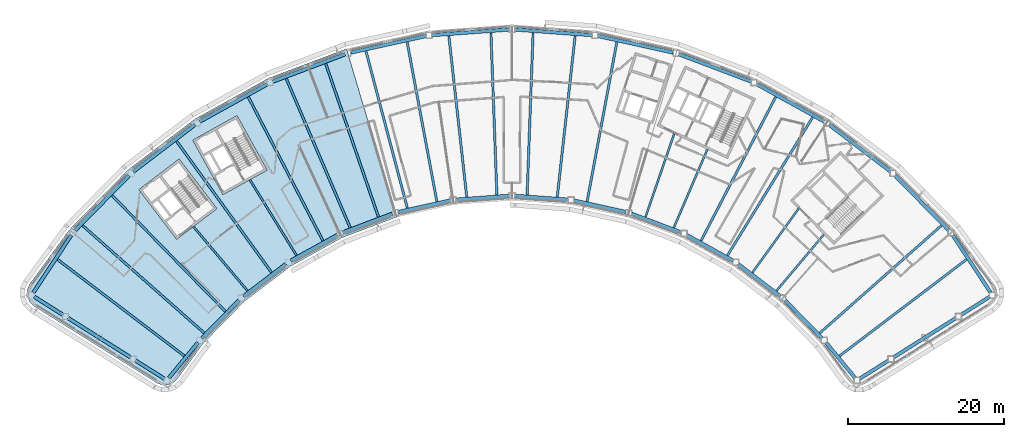
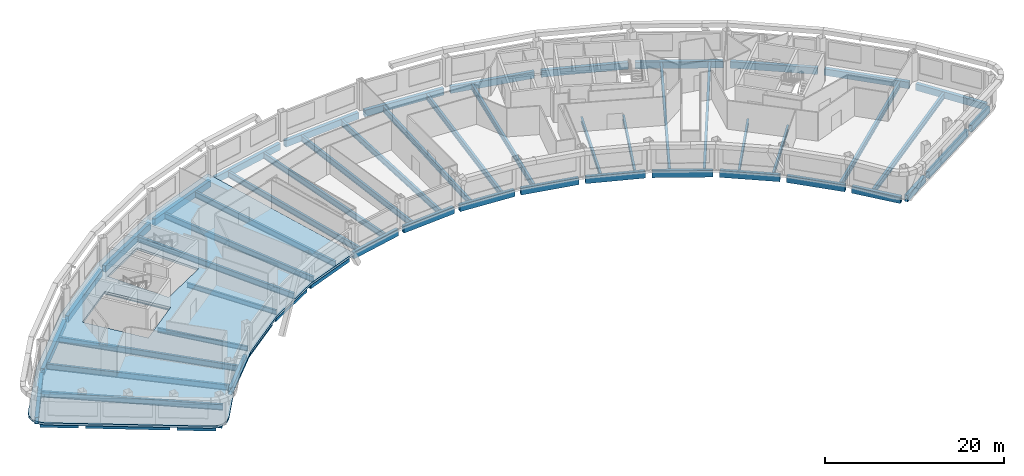
# One storey, part 3 of 16: 58 beams, 1 slab.
"""IFC4 building model written with IfcOpenShell, lengths in metres."""

from ifc_helpers import new_model, si_unit, direction, frame, origin, origin_2d, place, context, subcontext, project, spatial, polyline, hollow_rectangle, i_section, outline, extrude, material, layer, layer_set, material_profile, profile_set, type_object, element, save


model = new_model("IFC4")

# Units and contexts
model_context = context("Model", 3, precision=1e-05, world=origin(), true_north=direction((0.0, 1.0)))
body_context = subcontext(model_context, "Body", "Model", "MODEL_VIEW")
ifc_project = project(units=[si_unit("LENGTHUNIT", "METRE"), si_unit("AREAUNIT", "SQUARE_METRE"), si_unit("VOLUMEUNIT", "CUBIC_METRE"), si_unit("PLANEANGLEUNIT", "RADIAN"), si_unit("MASSUNIT", "GRAM", prefix="KILO")], contexts=[model_context])

# Site, building, storey
site_placement = place(None, origin())
site = spatial("IfcSite", under=ifc_project, at=site_placement, CompositionType="ELEMENT")
building_placement = place(site_placement, origin())
building = spatial("IfcBuilding", under=site, at=building_placement, Name="Tuul Gate Civic Tower", CompositionType="ELEMENT")
storey_placement = place(building_placement, frame((0.0, 0.0, 298.39990234375)))
storey = spatial("IfcBuildingStorey", under=building, at=storey_placement, Name="Level 67", CompositionType="ELEMENT", Elevation=298.39990234375)

# Beams
ifc_material_1 = material(Name="Steel S355", Category="steel")
ifc_material_profile_1 = material_profile(ifc_material_1, i_section(OverallWidth=0.25, OverallDepth=0.64990234375, WebThickness=0.011962890625, FlangeThickness=0.02001953125, at=origin_2d()), Name="PG650x250x12x20")
ifc_profile_set_1 = profile_set([ifc_material_profile_1], Name="Steel S355")
beam_type_1 = type_object("IfcBeamType", Name="STR-FLOOR BEAM-PG650x250x12x20", PredefinedType="BEAM", material=ifc_profile_set_1)
beam_1_placement = place(storey_placement, frame((40.746337890625, -24.341064453125, -0.625), z_axis=(0.644127784209, 0.764917902529, 0.0), x_axis=(-0.764917902529, 0.644127784209, 0.0)))
element("IfcBeam", 1, at=beam_1_placement, inside=storey, type_object=beam_type_1, Name="Floor beam", PredefinedType="BEAM", context=body_context, shape_type="SweptSolid", body=[
    extrude(i_section(OverallWidth=0.25, OverallDepth=0.64990234375, WebThickness=0.011962890625, FlangeThickness=0.02001953125, at=origin_2d()), origin(), (0.0, 0.0, 1.0), 9.443115234375),
])
beam_2_placement = place(storey_placement, frame((37.658203125, -21.989501953125, -0.625), z_axis=(0.586069159859, 0.810261031929, 0.0), x_axis=(-0.810261031929, 0.586069159859, 0.0)))
element("IfcBeam", 2, at=beam_2_placement, inside=storey, type_object=beam_type_1, Name="Floor beam", PredefinedType="BEAM", context=body_context, shape_type="SweptSolid", body=[
    extrude(i_section(OverallWidth=0.25, OverallDepth=0.64990234375, WebThickness=0.011962890625, FlangeThickness=0.02001953125, at=origin_2d()), origin(), (0.0, 0.0, 1.0), 10.103515625),
])
beam_3_placement = place(storey_placement, frame((27.564697265625, -16.229248046875, -0.625), z_axis=(0.394202182467, 0.919023742532, 0.0), x_axis=(-0.919023742532, 0.394202182467, 0.0)))
element("IfcBeam", 3, at=beam_3_placement, inside=storey, type_object=beam_type_1, Name="Floor beam", PredefinedType="BEAM", context=body_context, shape_type="SweptSolid", body=[
    extrude(i_section(OverallWidth=0.25, OverallDepth=0.64990234375, WebThickness=0.011962890625, FlangeThickness=0.02001953125, at=origin_2d()), origin(), (0.0, 0.0, 1.0), 10.93603515625),
])
beam_4_placement = place(storey_placement, frame((23.934326171875, -14.856689453125, -0.625), z_axis=(0.325475834629, 0.945550358824, 0.0), x_axis=(-0.945550358824, 0.325475834629, 0.0)))
element("IfcBeam", 4, at=beam_4_placement, inside=storey, type_object=beam_type_1, Name="Floor beam", PredefinedType="BEAM", context=body_context, shape_type="SweptSolid", body=[
    extrude(i_section(OverallWidth=0.25, OverallDepth=0.64990234375, WebThickness=0.011962890625, FlangeThickness=0.02001953125, at=origin_2d()), origin(), (0.0, 0.0, 1.0), 11.282958984375),
])
beam_5_placement = place(storey_placement, frame((-20.8779296875, -19.798828125, -0.625), z_axis=(-0.524859776805, 0.851188706864, 0.0), x_axis=(-0.851188706864, -0.524859776805, 0.0)))
element("IfcBeam", 5, at=beam_5_placement, inside=storey, type_object=beam_type_1, Name="Floor beam", PredefinedType="BEAM", context=body_context, shape_type="SweptSolid", body=[
    extrude(i_section(OverallWidth=0.25, OverallDepth=0.64990234375, WebThickness=0.011962890625, FlangeThickness=0.02001953125, at=origin_2d()), origin(), (0.0, 0.0, 1.0), 11.414306640625),
])
beam_6_placement = place(storey_placement, frame((-27.170166015625, -24.341064453125, -0.625), z_axis=(-0.644139926709, 0.764907677318, 0.0), x_axis=(-0.764907677318, -0.644139926709, 0.0)))
element("IfcBeam", 6, at=beam_6_placement, inside=storey, type_object=beam_type_1, Name="Floor beam", PredefinedType="BEAM", context=body_context, shape_type="SweptSolid", body=[
    extrude(i_section(OverallWidth=0.25, OverallDepth=0.64990234375, WebThickness=0.011962890625, FlangeThickness=0.02001953125, at=origin_2d()), origin(), (0.0, 0.0, 1.0), 10.7890625),
])
ifc_material_2 = material(Name="Steel S355", Category="steel")
ifc_material_profile_2 = material_profile(ifc_material_2, i_section(OverallWidth=0.300048828125, OverallDepth=0.800048828125, WebThickness=0.013916015625, FlangeThickness=0.02490234375, at=origin_2d()), Name="PG800x300x14x25")
ifc_profile_set_2 = profile_set([ifc_material_profile_2], Name="Steel S355")
beam_type_2 = type_object("IfcBeamType", Name="STR-FLOOR BEAM-PG800x300x14x25", PredefinedType="BEAM", material=ifc_profile_set_2)
beam_7_placement = place(storey_placement, frame((48.8427734375, -32.703857421875, -0.699951171875), z_axis=(0.796156676215, 0.60509052787, 0.0), x_axis=(-0.60509052787, 0.796156676215, 0.0)))
element("IfcBeam", 7, at=beam_7_placement, inside=storey, type_object=beam_type_2, Name="Floor beam", PredefinedType="BEAM", context=body_context, shape_type="SweptSolid", body=[
    extrude(i_section(OverallWidth=0.300048828125, OverallDepth=0.800048828125, WebThickness=0.013916015625, FlangeThickness=0.02490234375, at=origin_2d()), origin(), (0.0, 0.0, 1.0), 20.46240234375),
])
beam_8_placement = place(storey_placement, frame((46.3037109375, -29.759033203125, -0.699951171875), z_axis=(0.749453243269, 0.662057275584, 0.0), x_axis=(-0.662057275584, 0.749453243269, 0.0)))
element("IfcBeam", 8, at=beam_8_placement, inside=storey, type_object=beam_type_2, Name="Floor beam", PredefinedType="BEAM", context=body_context, shape_type="SweptSolid", body=[
    extrude(i_section(OverallWidth=0.300048828125, OverallDepth=0.800048828125, WebThickness=0.013916015625, FlangeThickness=0.02490234375, at=origin_2d()), origin(), (0.0, 0.0, 1.0), 20.828369140625),
])
beam_9_placement = place(storey_placement, frame((34.45458984375, -19.79833984375, -0.699951171875), z_axis=(0.524850193008, 0.851194616348, 0.0), x_axis=(-0.851194616348, 0.524850193008, 0.0)))
element("IfcBeam", 9, at=beam_9_placement, inside=storey, type_object=beam_type_2, Name="Floor beam", PredefinedType="BEAM", context=body_context, shape_type="SweptSolid", body=[
    extrude(i_section(OverallWidth=0.300048828125, OverallDepth=0.800048828125, WebThickness=0.013916015625, FlangeThickness=0.02490234375, at=origin_2d()), origin(), (0.0, 0.0, 1.0), 20.822021484375),
])
beam_10_placement = place(storey_placement, frame((31.0595703125, -17.9169921875, -0.699951171875), z_axis=(0.460777059353, 0.887515916237, 0.0), x_axis=(-0.887515916237, 0.460777059353, 0.0)))
element("IfcBeam", 10, at=beam_10_placement, inside=storey, type_object=beam_type_2, Name="Floor beam", PredefinedType="BEAM", context=body_context, shape_type="SweptSolid", body=[
    extrude(i_section(OverallWidth=0.300048828125, OverallDepth=0.800048828125, WebThickness=0.013916015625, FlangeThickness=0.02490234375, at=origin_2d()), origin(), (0.0, 0.0, 1.0), 20.8076171875),
])
beam_11_placement = place(storey_placement, frame((16.4365234375, -12.874755859375, -0.699951171875), z_axis=(0.183145230157, 0.983085868412, 0.0), x_axis=(-0.983085868412, 0.183145230157, 0.0)))
element("IfcBeam", 11, at=beam_11_placement, inside=storey, type_object=beam_type_2, Name="Floor beam", PredefinedType="BEAM", context=body_context, shape_type="SweptSolid", body=[
    extrude(i_section(OverallWidth=0.300048828125, OverallDepth=0.800048828125, WebThickness=0.013916015625, FlangeThickness=0.02490234375, at=origin_2d()), origin(), (0.0, 0.0, 1.0), 20.8115234375),
])
beam_12_placement = place(storey_placement, frame((12.599365234375, -12.294677734375, -0.699951171875), z_axis=(0.110286058964, 0.993899886909, 0.0), x_axis=(-0.993899886909, 0.110286058964, 0.0)))
element("IfcBeam", 12, at=beam_12_placement, inside=storey, type_object=beam_type_2, Name="Floor beam", PredefinedType="BEAM", context=body_context, shape_type="SweptSolid", body=[
    extrude(i_section(OverallWidth=0.300048828125, OverallDepth=0.800048828125, WebThickness=0.013916015625, FlangeThickness=0.02490234375, at=origin_2d()), origin(), (0.0, 0.0, 1.0), 20.8154296875),
])
beam_13_placement = place(storey_placement, frame((8.728515625, -12.01416015625, -0.699951171875), z_axis=(0.036832047042, 0.999321469954, 0.0), x_axis=(-0.999321469954, 0.036832047042, 0.0)))
element("IfcBeam", 13, at=beam_13_placement, inside=storey, type_object=beam_type_2, Name="Floor beam", PredefinedType="BEAM", context=body_context, shape_type="SweptSolid", body=[
    extrude(i_section(OverallWidth=0.300048828125, OverallDepth=0.800048828125, WebThickness=0.013916015625, FlangeThickness=0.02490234375, at=origin_2d()), origin(), (0.0, 0.0, 1.0), 20.8134765625),
])
beam_14_placement = place(storey_placement, frame((4.84765625, -12.013916015625, -0.699951171875), z_axis=(-0.036820764609, 0.999321885727, 0.0), x_axis=(-0.999321885727, -0.036820764609, 0.0)))
element("IfcBeam", 14, at=beam_14_placement, inside=storey, type_object=beam_type_2, Name="Floor beam", PredefinedType="BEAM", context=body_context, shape_type="SweptSolid", body=[
    extrude(i_section(OverallWidth=0.300048828125, OverallDepth=0.800048828125, WebThickness=0.013916015625, FlangeThickness=0.02490234375, at=origin_2d()), origin(), (0.0, 0.0, 1.0), 20.813232421875),
])
beam_15_placement = place(storey_placement, frame((0.976806640625, -12.294677734375, -0.699951171875), z_axis=(-0.110287344613, 0.993899744249, 0.0), x_axis=(-0.993899744249, -0.110287344613, 0.0)))
element("IfcBeam", 15, at=beam_15_placement, inside=storey, type_object=beam_type_2, Name="Floor beam", PredefinedType="BEAM", context=body_context, shape_type="SweptSolid", body=[
    extrude(i_section(OverallWidth=0.300048828125, OverallDepth=0.800048828125, WebThickness=0.013916015625, FlangeThickness=0.02490234375, at=origin_2d()), origin(), (0.0, 0.0, 1.0), 20.815185546875),
])
beam_16_placement = place(storey_placement, frame((-2.8603515625, -12.87451171875, -0.699951171875), z_axis=(-0.183149454547, 0.983085081414, 0.0), x_axis=(-0.983085081414, -0.183149454547, 0.0)))
element("IfcBeam", 16, at=beam_16_placement, inside=storey, type_object=beam_type_2, Name="Floor beam", PredefinedType="BEAM", context=body_context, shape_type="SweptSolid", body=[
    extrude(i_section(OverallWidth=0.300048828125, OverallDepth=0.800048828125, WebThickness=0.013916015625, FlangeThickness=0.02490234375, at=origin_2d()), origin(), (0.0, 0.0, 1.0), 20.81103515625),
])
beam_17_placement = place(storey_placement, frame((-6.650390625, -13.7099609375, -0.699951171875), z_axis=(-0.255007612054, 0.966939045542, 0.0), x_axis=(-0.966939045542, -0.255007612054, 0.0)))
element("IfcBeam", 17, at=beam_17_placement, inside=storey, type_object=beam_type_2, Name="Floor beam", PredefinedType="BEAM", context=body_context, shape_type="SweptSolid", body=[
    extrude(i_section(OverallWidth=0.300048828125, OverallDepth=0.800048828125, WebThickness=0.013916015625, FlangeThickness=0.02490234375, at=origin_2d()), origin(), (0.0, 0.0, 1.0), 20.8173828125),
])
beam_18_placement = place(storey_placement, frame((-10.358154296875, -14.856689453125, -0.699951171875), z_axis=(-0.325486974479, 0.945546524209, 0.0), x_axis=(-0.945546524209, -0.325486974479, 0.0)))
element("IfcBeam", 18, at=beam_18_placement, inside=storey, type_object=beam_type_2, Name="Floor beam", PredefinedType="BEAM", context=body_context, shape_type="SweptSolid", body=[
    extrude(i_section(OverallWidth=0.300048828125, OverallDepth=0.800048828125, WebThickness=0.013916015625, FlangeThickness=0.02490234375, at=origin_2d()), origin(), (0.0, 0.0, 1.0), 20.809326171875),
])
beam_19_placement = place(storey_placement, frame((-13.98828125, -16.2294921875, -0.699951171875), z_axis=(-0.39420232802, 0.9190236801, 0.0), x_axis=(-0.9190236801, -0.39420232802, 0.0)))
element("IfcBeam", 19, at=beam_19_placement, inside=storey, type_object=beam_type_2, Name="Floor beam", PredefinedType="BEAM", context=body_context, shape_type="SweptSolid", body=[
    extrude(i_section(OverallWidth=0.300048828125, OverallDepth=0.800048828125, WebThickness=0.013916015625, FlangeThickness=0.02490234375, at=origin_2d()), origin(), (0.0, 0.0, 1.0), 20.820068359375),
])
beam_20_placement = place(storey_placement, frame((-17.483154296875, -17.917236328125, -0.699951171875), z_axis=(-0.460781503105, 0.887513609133, 0.0), x_axis=(-0.887513609133, -0.460781503105, 0.0)))
element("IfcBeam", 20, at=beam_20_placement, inside=storey, type_object=beam_type_2, Name="Floor beam", PredefinedType="BEAM", context=body_context, shape_type="SweptSolid", body=[
    extrude(i_section(OverallWidth=0.300048828125, OverallDepth=0.800048828125, WebThickness=0.013916015625, FlangeThickness=0.02490234375, at=origin_2d()), origin(), (0.0, 0.0, 1.0), 20.807861328125),
])
beam_21_placement = place(storey_placement, frame((-24.081787109375, -21.98974609375, -0.699951171875), z_axis=(-0.586080778494, 0.810252627938, 0.0), x_axis=(-0.810252627938, -0.586080778494, 0.0)))
element("IfcBeam", 21, at=beam_21_placement, inside=storey, type_object=beam_type_2, Name="Floor beam", PredefinedType="BEAM", context=body_context, shape_type="SweptSolid", body=[
    extrude(i_section(OverallWidth=0.300048828125, OverallDepth=0.800048828125, WebThickness=0.013916015625, FlangeThickness=0.02490234375, at=origin_2d()), origin(), (0.0, 0.0, 1.0), 20.8056640625),
])
beam_22_placement = place(storey_placement, frame((-30.010498046875, -26.986572265625, -0.699951171875), z_axis=(-0.698690220921, 0.71542433226, 0.0), x_axis=(-0.71542433226, -0.698690220921, 0.0)))
element("IfcBeam", 22, at=beam_22_placement, inside=storey, type_object=beam_type_2, Name="Floor beam", PredefinedType="BEAM", context=body_context, shape_type="SweptSolid", body=[
    extrude(i_section(OverallWidth=0.300048828125, OverallDepth=0.800048828125, WebThickness=0.013916015625, FlangeThickness=0.02490234375, at=origin_2d()), origin(), (0.0, 0.0, 1.0), 20.804443359375),
])
beam_23_placement = place(storey_placement, frame((-32.7275390625, -29.759033203125, -0.699951171875), z_axis=(-0.749453243269, 0.662057275584, 0.0), x_axis=(-0.662057275584, -0.749453243269, 0.0)))
element("IfcBeam", 23, at=beam_23_placement, inside=storey, type_object=beam_type_2, Name="Floor beam", PredefinedType="BEAM", context=body_context, shape_type="SweptSolid", body=[
    extrude(i_section(OverallWidth=0.300048828125, OverallDepth=0.800048828125, WebThickness=0.013916015625, FlangeThickness=0.02490234375, at=origin_2d()), origin(), (0.0, 0.0, 1.0), 20.828369140625),
])
beam_24_placement = place(storey_placement, frame((-35.266845703125, -32.703857421875, -0.699951171875), z_axis=(-0.796146559843, 0.605103838403, 0.0), x_axis=(-0.605103838403, -0.796146559843, 0.0)))
element("IfcBeam", 24, at=beam_24_placement, inside=storey, type_object=beam_type_2, Name="Floor beam", PredefinedType="BEAM", context=body_context, shape_type="SweptSolid", body=[
    extrude(i_section(OverallWidth=0.300048828125, OverallDepth=0.800048828125, WebThickness=0.013916015625, FlangeThickness=0.02490234375, at=origin_2d()), origin(), (0.0, 0.0, 1.0), 20.46240234375),
])
ifc_material_3 = material(Name="Steel S355", Category="steel")
ifc_material_profile_3 = material_profile(ifc_material_3, hollow_rectangle(XDim=0.449951171875, YDim=0.89990234375, WallThickness=0.02490234375, at=origin_2d()), Name="BOX900x450x25")
ifc_profile_set_3 = profile_set([ifc_material_profile_3], Name="Steel S355")
beam_type_3 = type_object("IfcBeamType", Name="STR-SPANDREL BEAM-BOX900x450x25", PredefinedType="BEAM", material=ifc_profile_set_3)
beam_25_placement = place(storey_placement, frame((68.23828125, -24.5634765625, -0.75), z_axis=(-0.551580803008, 0.834121464628, 0.0), x_axis=(-0.834121464628, -0.551580803008, 0.0)))
element("IfcBeam", 25, at=beam_25_placement, inside=storey, type_object=beam_type_3, Name="Spandrel beam", PredefinedType="BEAM", context=body_context, shape_type="SweptSolid", body=[
    extrude(hollow_rectangle(XDim=0.449951171875, YDim=0.89990234375, WallThickness=0.02490234375, at=origin_2d()), origin(), (0.0, 0.0, 1.0), 8.806884765625),
])
for number, where, z_axis, x_axis, name in (
    (26, (62.8798828125, -16.598388671875, -0.75), (-0.699989605726, 0.714153031132, 0.0), (-0.714153031132, -0.699989605726, 0.0), "Spandrel beam"),
    (27, (55.36767578125, -9.0166015625, -0.75), (-0.795624601098, 0.605789975261, 0.0), (-0.605789975261, -0.795624601098, 0.0), "Spandrel beam"),
):
    element("IfcBeam", number, at=place(storey_placement, frame(where, z_axis=z_axis, x_axis=x_axis)), inside=storey, type_object=beam_type_3, Name=name, PredefinedType="BEAM", context=body_context, shape_type="SweptSolid", body=[
        extrude(hollow_rectangle(XDim=0.449951171875, YDim=0.89990234375, WallThickness=0.02490234375, at=origin_2d()), origin(), (0.0, 0.0, 1.0), 9.876953125),
    ])
beam_26_placement = place(storey_placement, frame((46.841064453125, -2.59716796875, -0.75), z_axis=(-0.874638363012, 0.484775962634, 0.0), x_axis=(-0.484775962634, -0.874638363012, 0.0)))
element("IfcBeam", 28, at=beam_26_placement, inside=storey, type_object=beam_type_3, Name="Spandrel beam", PredefinedType="BEAM", context=body_context, shape_type="SweptSolid", body=[
    extrude(hollow_rectangle(XDim=0.449951171875, YDim=0.89990234375, WallThickness=0.02490234375, at=origin_2d()), origin(), (0.0, 0.0, 1.0), 9.87744140625),
])
for number, where, z_axis, x_axis, name in (
    (29, (37.477783203125, 2.526611328125, -0.75), (-0.935345282805, 0.353736062531, 0.0), (-0.353736062531, -0.935345282805, 0.0), "Spandrel beam"),
    (30, (27.474365234375, 6.248046875, -0.75), (-0.976561301206, 0.21523945964, 0.0), (-0.21523945964, -0.976561301206, 0.0), "Spandrel beam"),
):
    element("IfcBeam", number, at=place(storey_placement, frame(where, z_axis=z_axis, x_axis=x_axis)), inside=storey, type_object=beam_type_3, Name=name, PredefinedType="BEAM", context=body_context, shape_type="SweptSolid", body=[
        extrude(hollow_rectangle(XDim=0.449951171875, YDim=0.89990234375, WallThickness=0.02490234375, at=origin_2d()), origin(), (0.0, 0.0, 1.0), 9.877197265625),
    ])
beam_27_placement = place(storey_placement, frame((17.0390625, 8.489013671875, -0.75), z_axis=(-0.997383375636, 0.072293858694, 0.0), x_axis=(-0.072293858694, -0.997383375636, 0.0)))
element("IfcBeam", 31, at=beam_27_placement, inside=storey, type_object=beam_type_3, Name="Spandrel beam", PredefinedType="BEAM", context=body_context, shape_type="SweptSolid", body=[
    extrude(hollow_rectangle(XDim=0.449951171875, YDim=0.89990234375, WallThickness=0.02490234375, at=origin_2d()), origin(), (0.0, 0.0, 1.0), 9.8779296875),
])
for number, where, z_axis, x_axis, name in (
    (32, (6.38916015625, 9.203125, -0.75), (-0.997382988068, -0.072299205474, 0.0), (0.072299205474, -0.997382988068, 0.0), "Spandrel beam"),
    (33, (-4.251708984375, 8.3740234375, -0.75), (-0.976561301206, -0.21523945964, 0.0), (0.21523945964, -0.976561301206, 0.0), "Spandrel beam"),
):
    element("IfcBeam", number, at=place(storey_placement, frame(where, z_axis=z_axis, x_axis=x_axis)), inside=storey, type_object=beam_type_3, Name=name, PredefinedType="BEAM", context=body_context, shape_type="SweptSolid", body=[
        extrude(hollow_rectangle(XDim=0.449951171875, YDim=0.89990234375, WallThickness=0.02490234375, at=origin_2d()), origin(), (0.0, 0.0, 1.0), 9.877197265625),
    ])
beam_28_placement = place(storey_placement, frame((-14.662109375, 6.0205078125, -0.75), z_axis=(-0.935352568022, -0.353716798434, 0.0), x_axis=(0.353716798434, -0.935352568022, 0.0)))
element("IfcBeam", 34, at=beam_28_placement, inside=storey, type_object=beam_type_3, Name="Spandrel beam", PredefinedType="BEAM", context=body_context, shape_type="SweptSolid", body=[
    extrude(hollow_rectangle(XDim=0.449951171875, YDim=0.89990234375, WallThickness=0.02490234375, at=origin_2d()), origin(), (0.0, 0.0, 1.0), 9.87841796875),
])
beam_29_placement = place(storey_placement, frame((-24.625732421875, 2.191162109375, -0.75), z_axis=(-0.874620935206, -0.484807404748, 0.0), x_axis=(0.484807404748, -0.874620935206, 0.0)))
element("IfcBeam", 35, at=beam_29_placement, inside=storey, type_object=beam_type_3, Name="Spandrel beam", PredefinedType="BEAM", context=body_context, shape_type="SweptSolid", body=[
    extrude(hollow_rectangle(XDim=0.449951171875, YDim=0.89990234375, WallThickness=0.02490234375, at=origin_2d()), origin(), (0.0, 0.0, 1.0), 9.876708984375),
])
beam_30_placement = place(storey_placement, frame((-33.932373046875, -3.033203125, -0.75), z_axis=(-0.795624601098, -0.605789975261, 0.0), x_axis=(0.605789975261, -0.795624601098, 0.0)))
element("IfcBeam", 36, at=beam_30_placement, inside=storey, type_object=beam_type_3, Name="Spandrel beam", PredefinedType="BEAM", context=body_context, shape_type="SweptSolid", body=[
    extrude(hollow_rectangle(XDim=0.449951171875, YDim=0.89990234375, WallThickness=0.02490234375, at=origin_2d()), origin(), (0.0, 0.0, 1.0), 9.876953125),
])
beam_31_placement = place(storey_placement, frame((-42.388916015625, -9.544677734375, -0.75), z_axis=(-0.700052630296, -0.714091251042, 0.0), x_axis=(0.714091251042, -0.700052630296, 0.0)))
element("IfcBeam", 37, at=beam_31_placement, inside=storey, type_object=beam_type_3, Name="Spandrel beam", PredefinedType="BEAM", context=body_context, shape_type="SweptSolid", body=[
    extrude(hollow_rectangle(XDim=0.449951171875, YDim=0.89990234375, WallThickness=0.02490234375, at=origin_2d()), origin(), (0.0, 0.0, 1.0), 9.8779296875),
])
beam_32_placement = place(storey_placement, frame((-49.8046875, -17.217529296875, -0.75), z_axis=(-0.551580803008, -0.834121464628, 0.0), x_axis=(0.834121464628, -0.551580803008, 0.0)))
element("IfcBeam", 38, at=beam_32_placement, inside=storey, type_object=beam_type_3, Name="Spandrel beam", PredefinedType="BEAM", context=body_context, shape_type="SweptSolid", body=[
    extrude(hollow_rectangle(XDim=0.449951171875, YDim=0.89990234375, WallThickness=0.02490234375, at=origin_2d()), origin(), (0.0, 0.0, 1.0), 8.806884765625),
])
beam_33_placement = place(storey_placement, frame((-54.54443359375, -25.110107421875, -0.75), z_axis=(0.846271424817, -0.532751983138, 0.0), x_axis=(0.532751983138, 0.846271424817, 0.0)))
element("IfcBeam", 39, at=beam_33_placement, inside=storey, type_object=beam_type_3, Name="Spandrel beam", PredefinedType="BEAM", context=body_context, shape_type="SweptSolid", body=[
    extrude(hollow_rectangle(XDim=0.449951171875, YDim=0.89990234375, WallThickness=0.02490234375, at=origin_2d()), origin(), (0.0, 0.0, 1.0), 4.33203125),
])
beam_34_placement = place(storey_placement, frame((-50.201416015625, -27.84423828125, -0.75), z_axis=(0.84620354352, -0.532859796695, 0.0), x_axis=(0.532859796695, 0.84620354352, 0.0)))
element("IfcBeam", 40, at=beam_34_placement, inside=storey, type_object=beam_type_3, Name="Spandrel beam", PredefinedType="BEAM", context=body_context, shape_type="SweptSolid", body=[
    extrude(hollow_rectangle(XDim=0.449951171875, YDim=0.89990234375, WallThickness=0.02490234375, at=origin_2d()), origin(), (0.0, 0.0, 1.0), 9.463623046875),
])
beam_35_placement = place(storey_placement, frame((-41.5166015625, -33.313232421875, -0.75), z_axis=(0.84613117079, -0.532974710298, 0.0), x_axis=(0.532974710298, 0.84613117079, 0.0)))
element("IfcBeam", 41, at=beam_35_placement, inside=storey, type_object=beam_type_3, Name="Spandrel beam", PredefinedType="BEAM", context=body_context, shape_type="SweptSolid", body=[
    extrude(hollow_rectangle(XDim=0.449951171875, YDim=0.89990234375, WallThickness=0.02490234375, at=origin_2d()), origin(), (0.0, 0.0, 1.0), 4.33154296875),
])
beam_36_placement = place(storey_placement, frame((-37.25927734375, -35.52587890625, -0.75), z_axis=(0.63438437654, 0.773017763574, 0.0), x_axis=(-0.773017763574, 0.63438437654, 0.0)))
element("IfcBeam", 42, at=beam_36_placement, inside=storey, type_object=beam_type_3, Name="Spandrel beam", PredefinedType="BEAM", context=body_context, shape_type="SweptSolid", body=[
    extrude(hollow_rectangle(XDim=0.449951171875, YDim=0.89990234375, WallThickness=0.02490234375, at=origin_2d()), origin(), (0.0, 0.0, 1.0), 5.85205078125),
])
beam_37_placement = place(storey_placement, frame((-33.012939453125, -30.4072265625, -0.75), z_axis=(0.69995351943, 0.71418839996, 0.0), x_axis=(-0.71418839996, 0.69995351943, 0.0)))
element("IfcBeam", 43, at=beam_37_placement, inside=storey, type_object=beam_type_3, Name="Spandrel beam", PredefinedType="BEAM", context=body_context, shape_type="SweptSolid", body=[
    extrude(hollow_rectangle(XDim=0.449951171875, YDim=0.89990234375, WallThickness=0.02490234375, at=origin_2d()), origin(), (0.0, 0.0, 1.0), 6.791748046875),
])
beam_38_placement = place(storey_placement, frame((-27.66064453125, -25.02880859375, -0.75), z_axis=(0.795648671747, 0.605758360361, 0.0), x_axis=(-0.605758360361, 0.795648671747, 0.0)))
element("IfcBeam", 44, at=beam_38_placement, inside=storey, type_object=beam_type_3, Name="Spandrel beam", PredefinedType="BEAM", context=body_context, shape_type="SweptSolid", body=[
    extrude(hollow_rectangle(XDim=0.449951171875, YDim=0.89990234375, WallThickness=0.02490234375, at=origin_2d()), origin(), (0.0, 0.0, 1.0), 6.792236328125),
])
beam_39_placement = place(storey_placement, frame((-21.588134765625, -20.47802734375, -0.75), z_axis=(0.87464856826, 0.484757549751, 0.0), x_axis=(-0.484757549751, 0.87464856826, 0.0)))
element("IfcBeam", 45, at=beam_39_placement, inside=storey, type_object=beam_type_3, Name="Spandrel beam", PredefinedType="BEAM", context=body_context, shape_type="SweptSolid", body=[
    extrude(hollow_rectangle(XDim=0.449951171875, YDim=0.89990234375, WallThickness=0.02490234375, at=origin_2d()), origin(), (0.0, 0.0, 1.0), 6.79150390625),
])
beam_40_placement = place(storey_placement, frame((-14.923828125, -16.8505859375, -0.75), z_axis=(0.935348956807, 0.35372634762, 0.0), x_axis=(-0.35372634762, 0.935348956807, 0.0)))
element("IfcBeam", 46, at=beam_40_placement, inside=storey, type_object=beam_type_3, Name="Spandrel beam", PredefinedType="BEAM", context=body_context, shape_type="SweptSolid", body=[
    extrude(hollow_rectangle(XDim=0.449951171875, YDim=0.89990234375, WallThickness=0.02490234375, at=origin_2d()), origin(), (0.0, 0.0, 1.0), 6.790771484375),
])
for number, where, z_axis, x_axis, name in (
    (47, (-7.807373046875, -14.220947265625, -0.75), (0.976561119915, 0.215240282172, 0.0), (-0.215240282172, 0.976561119915, 0.0), "Spandrel beam"),
    (48, (-0.385009765625, -12.64404296875, -0.75), (0.997381302407, 0.072322455777, 0.0), (-0.072322455777, 0.997381302407, 0.0), "Spandrel beam"),
):
    element("IfcBeam", number, at=place(storey_placement, frame(where, z_axis=z_axis, x_axis=x_axis)), inside=storey, type_object=beam_type_3, Name=name, PredefinedType="BEAM", context=body_context, shape_type="SweptSolid", body=[
        extrude(hollow_rectangle(XDim=0.449951171875, YDim=0.89990234375, WallThickness=0.02490234375, at=origin_2d()), origin(), (0.0, 0.0, 1.0), 6.7919921875),
    ])
for number, where, z_axis, x_axis, name in (
    (49, (7.18701171875, -12.15283203125, -0.75), (0.997381114382, -0.072325048733, 0.0), (0.072325048733, 0.997381114382, 0.0), "Spandrel beam"),
    (50, (14.750732421875, -12.759033203125, -0.75), (0.976559454542, -0.215247837958, 0.0), (0.215247837958, 0.976559454542, 0.0), "Spandrel beam"),
):
    element("IfcBeam", number, at=place(storey_placement, frame(where, z_axis=z_axis, x_axis=x_axis)), inside=storey, type_object=beam_type_3, Name=name, PredefinedType="BEAM", context=body_context, shape_type="SweptSolid", body=[
        extrude(hollow_rectangle(XDim=0.449951171875, YDim=0.89990234375, WallThickness=0.02490234375, at=origin_2d()), origin(), (0.0, 0.0, 1.0), 6.791748046875),
    ])
for number, where, z_axis, x_axis, name in (
    (51, (22.148193359375, -14.448486328125, -0.75), (0.935362449754, -0.353690666531, 0.0), (0.353690666531, 0.935362449754, 0.0), "Spandrel beam"),
    (52, (29.224853515625, -17.185791015625, -0.75), (0.87464856826, -0.484757549751, 0.0), (0.484757549751, 0.87464856826, 0.0), "Spandrel beam"),
    (53, (35.833251953125, -20.914306640625, -0.75), (0.795626424775, -0.605787580098, 0.0), (0.605787580098, 0.795626424775, 0.0), "Spandrel beam"),
):
    element("IfcBeam", number, at=place(storey_placement, frame(where, z_axis=z_axis, x_axis=x_axis)), inside=storey, type_object=beam_type_3, Name=name, PredefinedType="BEAM", context=body_context, shape_type="SweptSolid", body=[
        extrude(hollow_rectangle(XDim=0.449951171875, YDim=0.89990234375, WallThickness=0.02490234375, at=origin_2d()), origin(), (0.0, 0.0, 1.0), 6.79150390625),
    ])
beam_41_placement = place(storey_placement, frame((41.8349609375, -25.556640625, -0.75), z_axis=(0.699971853877, -0.714170430485, 0.0), x_axis=(0.714170430485, 0.699971853877, 0.0)))
element("IfcBeam", 54, at=beam_41_placement, inside=storey, type_object=beam_type_3, Name="Spandrel beam", PredefinedType="BEAM", context=body_context, shape_type="SweptSolid", body=[
    extrude(hollow_rectangle(XDim=0.449951171875, YDim=0.89990234375, WallThickness=0.02490234375, at=origin_2d()), origin(), (0.0, 0.0, 1.0), 6.7919921875),
])
beam_42_placement = place(storey_placement, frame((47.122802734375, -31.002197265625, -0.75), z_axis=(0.63438437654, -0.773017763574, 0.0), x_axis=(0.773017763574, 0.63438437654, 0.0)))
element("IfcBeam", 55, at=beam_42_placement, inside=storey, type_object=beam_type_3, Name="Spandrel beam", PredefinedType="BEAM", context=body_context, shape_type="SweptSolid", body=[
    extrude(hollow_rectangle(XDim=0.449951171875, YDim=0.89990234375, WallThickness=0.02490234375, at=origin_2d()), origin(), (0.0, 0.0, 1.0), 5.85205078125),
])
beam_43_placement = place(storey_placement, frame((51.427490234375, -35.621826171875, -0.75), z_axis=(0.846195195567, 0.532873053362, 0.0), x_axis=(-0.532873053362, 0.846195195567, 0.0)))
element("IfcBeam", 56, at=beam_43_placement, inside=storey, type_object=beam_type_3, Name="Spandrel beam", PredefinedType="BEAM", context=body_context, shape_type="SweptSolid", body=[
    extrude(hollow_rectangle(XDim=0.449951171875, YDim=0.89990234375, WallThickness=0.02490234375, at=origin_2d()), origin(), (0.0, 0.0, 1.0), 4.332275390625),
])
beam_44_placement = place(storey_placement, frame((55.7705078125, -32.886962890625, -0.75), z_axis=(0.84620354352, 0.532859796695, 0.0), x_axis=(-0.532859796695, 0.84620354352, 0.0)))
element("IfcBeam", 57, at=beam_44_placement, inside=storey, type_object=beam_type_3, Name="Spandrel beam", PredefinedType="BEAM", context=body_context, shape_type="SweptSolid", body=[
    extrude(hollow_rectangle(XDim=0.449951171875, YDim=0.89990234375, WallThickness=0.02490234375, at=origin_2d()), origin(), (0.0, 0.0, 1.0), 9.463623046875),
])
beam_45_placement = place(storey_placement, frame((64.45556640625, -27.41796875, -0.75), z_axis=(0.846207423362, 0.532853635295, 0.0), x_axis=(-0.532853635295, 0.846207423362, 0.0)))
element("IfcBeam", 58, at=beam_45_placement, inside=storey, type_object=beam_type_3, Name="Spandrel beam", PredefinedType="BEAM", context=body_context, shape_type="SweptSolid", body=[
    extrude(hollow_rectangle(XDim=0.449951171875, YDim=0.89990234375, WallThickness=0.02490234375, at=origin_2d()), origin(), (0.0, 0.0, 1.0), 4.3310546875),
])

# Slab
ifc_material_4 = material(Name="Concrete C35/45", Category="concrete")
ifc_layer = layer(ifc_material_4, 0.300048828125)
ifc_layer_set = layer_set([ifc_layer], Name="Concrete C35/45")
slab_type = type_object("IfcSlabType", Name="STR-FLOOR-SLAB-300", PredefinedType="FLOOR", material=ifc_layer_set)
slab_placement = place(storey_placement, frame((0.0, 0.0, -0.2998046875)))
element("IfcSlab", 59, at=slab_placement, inside=storey, type_object=slab_type, Name="Level 67/slab/W", PredefinedType="FLOOR", context=body_context, shape_type="SweptSolid", body=[
    extrude(outline(polyline([(-8.02587890625, -14.883056640625), (-14.4599609375, 6.739013671875), (-24.528076171875, 2.930908203125), (-33.943115234375, -2.287109375), (-42.507080078125, -8.80810546875), (-50.04296875, -16.4951171875), (-55.123046875, -23.451904296875), (-55.4599609375, -24.195068359375), (-55.471923828125, -25.010009765625), (-55.156982421875, -25.762939453125), (-54.568115234375, -26.326904296875), (-38.837890625, -36.156005859375), (-38.14404296875, -36.427001953125), (-37.39892578125, -36.424072265625), (-36.70703125, -36.14892578125), (-36.1630859375, -35.639892578125), (-32.833984375, -31.08203125), (-27.580078125, -25.721923828125), (-21.60888671875, -21.176025390625), (-15.0458984375, -17.5380859375), (-8.02587890625, -14.883056640625)]), holes=[polyline([(-31.10009765625, -13.7890625), (-36.27197265625, -17.72705078125), (-41.117919921875, -11.362060546875), (-35.946044921875, -7.424072265625), (-31.10009765625, -13.7890625)]), polyline([(-24.638916015625, -8.846923828125), (-30.323974609375, -11.998046875), (-34.201904296875, -5.0009765625), (-28.51708984375, -1.85009765625), (-24.638916015625, -8.846923828125)])]), origin(), (0.0, 0.0, 1.0), 0.2998046875),
])

save(model, "model.ifc")
